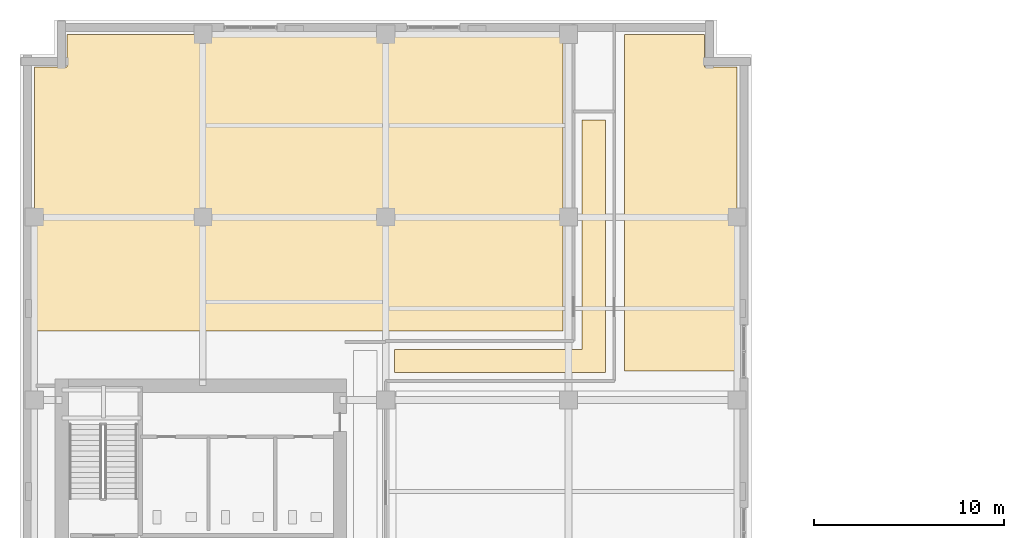
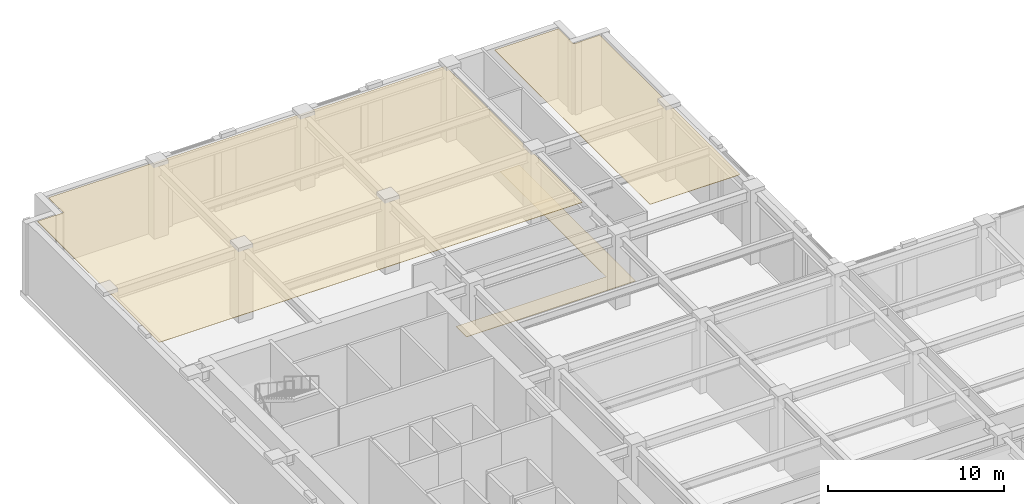
# One storey, part 17 of 18: 3 coverings.
"""IFC4 building model written with IfcOpenShell, lengths in metres."""

import ifcopenshell
import ifcopenshell.guid

model = None  # the IFC model being written
_history = None  # IfcOwnerHistory: only IFC2X3 demands one
_inside = {}  # id of a spatial element -> (the spatial element, [elements in it])
_under = {}  # id of a project, library or spatial element -> (it, [spatial elements below it])
_declared = {}  # id of a project -> (the project, [libraries it declares])
_typed = {}  # id of a type object -> (the type object, [elements of that type])
_made_of = {}  # id of a material, layer set ... -> (it, [elements and type objects made of it])


def new_model(schema):
    """Start an empty IFC model of exactly this schema.

    Asked for "IFC4X3", IfcOpenShell would pick the latest addendum, in which some entities
    have other attributes; the version numbers below select the first issue.
    IFC2X3 requires an IfcOwnerHistory on every rooted entity: one is made here for all.
    """
    global model, _history
    if schema == "IFC4X3":
        model = ifcopenshell.file(schema_version=(4, 3, 0, 0))
    else:
        model = ifcopenshell.file(schema=schema)
    _inside.clear()
    _under.clear()
    _declared.clear()
    _typed.clear()
    _made_of.clear()
    _history = None
    if model.schema == "IFC2X3":
        org = make("IfcOrganization", Name="unknown")
        user = make(
            "IfcPersonAndOrganization",
            ThePerson=make("IfcPerson", FamilyName="unknown"),
            TheOrganization=org,
        )
        app = make(
            "IfcApplication",
            ApplicationDeveloper=org,
            Version="unknown",
            ApplicationFullName="unknown",
            ApplicationIdentifier="unknown",
        )
        _history = make(
            "IfcOwnerHistory",
            OwningUser=user,
            OwningApplication=app,
            ChangeAction="ADDED",
            CreationDate=0,
        )
    return model


def make(cls, **values):
    """One entity of the class cls with the attributes given. An attribute that is None is left unset."""
    return model.create_entity(
        cls, **{name: value for name, value in values.items() if value is not None}
    )


def rooted(cls, **values):
    """An entity with a GlobalId (a new one), such as an element, a storey or a relation."""
    return make(cls, GlobalId=ifcopenshell.guid.new(), OwnerHistory=_history, **values)


def si_unit(unit_type, name, prefix=None):
    """IfcSIUnit, for example si_unit("LENGTHUNIT", "METRE", prefix="MILLI")."""
    return make("IfcSIUnit", UnitType=unit_type, Prefix=prefix, Name=name)


def assignment(units):
    """IfcUnitAssignment: the units of a project."""
    return None if units is None else make("IfcUnitAssignment", Units=units)


def point(xyz):
    """IfcCartesianPoint."""
    return None if xyz is None else make("IfcCartesianPoint", Coordinates=xyz)


def direction(xyz):
    """IfcDirection."""
    return None if xyz is None else make("IfcDirection", DirectionRatios=xyz)


def frame(location, z_axis=None, x_axis=None):
    """IfcAxis2Placement3D, a coordinate frame: its origin and axes. An axis left out is left unset."""
    return make(
        "IfcAxis2Placement3D",
        Location=point(location),
        Axis=direction(z_axis),
        RefDirection=direction(x_axis),
    )


def origin():
    """The frame at (0, 0, 0) with its axes left unset."""
    return frame((0.0, 0.0, 0.0))


def place(relative_to, where):
    """IfcLocalPlacement: puts the frame where relative to a parent placement (None: the world)."""
    return make(
        "IfcLocalPlacement", PlacementRelTo=relative_to, RelativePlacement=where
    )


def context(
    kind, dimensions, precision=None, world=None, true_north=None, identifier=None
):
    """IfcGeometricRepresentationContext, for example the 3D "Model" context."""
    return make(
        "IfcGeometricRepresentationContext",
        ContextIdentifier=identifier,
        ContextType=kind,
        CoordinateSpaceDimension=dimensions,
        Precision=precision,
        WorldCoordinateSystem=world,
        TrueNorth=true_north,
    )


def subcontext(parent, identifier, kind, view, scale=None):
    """IfcGeometricRepresentationSubContext, for example "Body" below "Model"."""
    return make(
        "IfcGeometricRepresentationSubContext",
        ContextIdentifier=identifier,
        ContextType=kind,
        ParentContext=parent,
        TargetScale=scale,
        TargetView=view,
    )


def project(units=None, contexts=None):
    """IfcProject with its units and contexts."""
    return rooted(
        "IfcProject",
        Name="project",
        RepresentationContexts=contexts,
        UnitsInContext=assignment(units),
    )


def spatial(cls, under=None, at=None, **own):
    """A site, building, storey or space (cls), placed at a placement, below another one or the project."""
    s = rooted(cls, ObjectPlacement=at, **own)
    if under is not None:
        _under.setdefault(under.id(), (under, []))[1].append(s)
    return s


def polyline(points):
    """IfcPolyline through the points."""
    return make("IfcPolyline", Points=[point(p) for p in points])


def outline(outer, holes=None, kind="AREA"):
    """IfcArbitraryClosedProfileDef: a profile drawn as a closed curve; with holes, ...WithVoids."""
    if holes is None:
        return make("IfcArbitraryClosedProfileDef", ProfileType=kind, OuterCurve=outer)
    return make(
        "IfcArbitraryProfileDefWithVoids",
        ProfileType=kind,
        OuterCurve=outer,
        InnerCurves=holes,
    )


def extrude(swept, where, along, depth):
    """IfcExtrudedAreaSolid: the profile swept, set in the frame where, extruded along a direction by depth."""
    return make(
        "IfcExtrudedAreaSolid",
        SweptArea=swept,
        Position=where,
        ExtrudedDirection=direction(along),
        Depth=depth,
    )


def shape(context_of_items, identifier, shape_type, items):
    """IfcShapeRepresentation: the items that make up one representation, for example the "Body"."""
    return make(
        "IfcShapeRepresentation",
        ContextOfItems=context_of_items,
        RepresentationIdentifier=identifier,
        RepresentationType=shape_type,
        Items=items,
    )


def material(Name=None, Category=None):
    """IfcMaterial."""
    return make("IfcMaterial", Name=Name, Category=Category)


def layer(
    of_material, thickness, ventilated=None, Name=None, Category=None, Priority=None
):
    """IfcMaterialLayer: one layer of a wall or slab, of a material (None: an air gap)."""
    return make(
        "IfcMaterialLayer",
        Material=of_material,
        LayerThickness=thickness,
        IsVentilated=ventilated,
        Name=Name,
        Category=Category,
        Priority=Priority,
    )


def layer_set(layers, Name=None):
    """IfcMaterialLayerSet."""
    return make("IfcMaterialLayerSet", MaterialLayers=layers, LayerSetName=Name)


def made_of(thing, what):
    """Note that an element or type object is made of a material, layer set ...; save() writes the relation."""
    if what is not None:
        _made_of.setdefault(what.id(), (what, []))[1].append(thing)
    return thing


def type_object(cls, material=None, **own):
    """A type object (cls), such as IfcWallType, which elements share."""
    return made_of(rooted(cls, **own), material)


def element(
    cls,
    number,
    at=None,
    inside=None,
    cuts=None,
    type_object=None,
    material=None,
    context=None,
    identifier="Body",
    shape_type=None,
    held_by="IfcProductDefinitionShape",
    body=None,
    shapes=None,
    **own,
):
    """One element of the class cls, such as IfcWall. Its Tag is "e" and its number.

    at: its placement. inside: the storey or other place that contains it. cuts: it is an
    opening in that element (IfcRelVoidsElement). A single representation is given by context,
    identifier, shape_type and body (its items); several are given by shapes. held_by: the class
    of the entity that holds the representations. save() writes the other relations.
    """
    e = rooted(cls, Tag="e%d" % number, ObjectPlacement=at, **own)
    if body is not None:
        shapes = [shape(context, identifier, shape_type, body)]
    if shapes is not None:
        e.Representation = make(held_by, Representations=shapes)
    if inside is not None:
        _inside.setdefault(inside.id(), (inside, []))[1].append(e)
    if cuts is not None:
        rooted(
            "IfcRelVoidsElement", RelatingBuildingElement=cuts, RelatedOpeningElement=e
        )
    if type_object is not None:
        _typed.setdefault(type_object.id(), (type_object, []))[1].append(e)
    return made_of(e, material)


def aggregate(whole, parts):
    """IfcRelAggregates: a whole, such as a stair, and the parts it consists of."""
    return rooted("IfcRelAggregates", RelatingObject=whole, RelatedObjects=parts)


def save(model, path):
    """Write the relations noted so far, then the file.

    IfcRelAggregates (storeys below a building ...), IfcRelContainedInSpatialStructure (elements
    in a storey), IfcRelDefinesByType, IfcRelAssociatesMaterial and IfcRelDeclares: one each for
    every whole, place, type object, material and project.
    """
    for whole, parts in _under.values():
        aggregate(whole, parts)
    for where, things in _inside.values():
        rooted(
            "IfcRelContainedInSpatialStructure",
            RelatedElements=things,
            RelatingStructure=where,
        )
    for kind, things in _typed.values():
        rooted("IfcRelDefinesByType", RelatedObjects=things, RelatingType=kind)
    for what, things in _made_of.values():
        rooted("IfcRelAssociatesMaterial", RelatedObjects=things, RelatingMaterial=what)
    for by, libraries in _declared.values():
        rooted("IfcRelDeclares", RelatingContext=by, RelatedDefinitions=libraries)
    model.write(path)


model = new_model("IFC4")

# Units and contexts
model_context = context("Model", 3, precision=1e-05, world=origin(), true_north=direction((0.0, 1.0)))
body_context = subcontext(model_context, "Body", "Model", "MODEL_VIEW")
ifc_project = project(units=[si_unit("LENGTHUNIT", "METRE"), si_unit("AREAUNIT", "SQUARE_METRE"), si_unit("VOLUMEUNIT", "CUBIC_METRE"), si_unit("PLANEANGLEUNIT", "RADIAN"), si_unit("MASSUNIT", "GRAM", prefix="KILO")], contexts=[model_context])

# Site, building, storey
site_placement = place(None, origin())
site = spatial("IfcSite", under=ifc_project, at=site_placement, CompositionType="ELEMENT")
building_placement = place(site_placement, origin())
building = spatial("IfcBuilding", under=site, at=building_placement, Name="Norrvale University Quadrangle", CompositionType="ELEMENT")
storey_placement = place(building_placement, frame((0.0, 0.0, 150.800048828125)))
storey = spatial("IfcBuildingStorey", under=building, at=storey_placement, Name="L38", CompositionType="ELEMENT", Elevation=150.800048828125)

# Coverings
ifc_material_1 = material(Name="Perforated Acoustic Mineral Ceiling")
ifc_layer_1 = layer(ifc_material_1, 0.02490234375, Name="Perforated Acoustic Mineral Ceiling")
ifc_layer_set_1 = layer_set([ifc_layer_1], Name="Perforated Acoustic Mineral Ceiling")
covering_type_1 = type_object("IfcCoveringType", Name="Covering Acoustic Ceiling 25", PredefinedType="CEILING", material=ifc_layer_set_1)
covering_1_placement = place(storey_placement, frame((0.0, 0.0, 4.9150390625)))
element("IfcCovering", 1, at=covering_1_placement, inside=storey, type_object=covering_type_1, Name="Acoustic Ceiling RM-L38-NE01", PredefinedType="CEILING", context=body_context, shape_type="SweptSolid", body=[
    extrude(outline(polyline([(37.64990234375, 48.780029296875), (31.72998046875, 48.780029296875), (31.72998046875, 66.449951171875), (35.929931640625, 66.449951171875), (35.929931640625, 64.72998046875), (37.64990234375, 64.72998046875), (37.64990234375, 48.780029296875)])), origin(), (0.0, 0.0, 1.0), 0.02490234375),
])
covering_2_placement = place(storey_placement, frame((0.0, 0.0, 4.9150390625)))
element("IfcCovering", 2, at=covering_2_placement, inside=storey, type_object=covering_type_1, Name="Acoustic Ceiling RM-L38-NW01", PredefinedType="CEILING", context=body_context, shape_type="SweptSolid", body=[
    extrude(outline(polyline([(28.52001953125, 66.449951171875), (28.52001953125, 50.8798828125), (0.75, 50.8798828125), (0.75, 64.72998046875), (2.469970703125, 64.72998046875), (2.469970703125, 66.449951171875), (28.52001953125, 66.449951171875)])), origin(), (0.0, 0.0, 1.0), 0.02490234375),
])
ifc_material_2 = material(Name="Polished Terrazzo Flooring")
ifc_layer_2 = layer(ifc_material_2, 0.02490234375, Name="Polished Terrazzo Flooring")
ifc_layer_set_2 = layer_set([ifc_layer_2], Name="Polished Terrazzo Flooring")
covering_type_2 = type_object("IfcCoveringType", Name="Covering Terrazzo Floor 30", PredefinedType="FLOORING", material=ifc_layer_set_2)
covering_3_placement = place(storey_placement, origin())
element("IfcCovering", 3, at=covering_3_placement, inside=storey, type_object=covering_type_2, Name="Terrazzo Flooring RM-L38-NCJOG", PredefinedType="FLOORING", context=body_context, shape_type="SweptSolid", body=[
    extrude(outline(polyline([(19.64990234375, 48.699951171875), (19.64990234375, 49.89990234375), (29.5, 49.89990234375), (29.5, 61.949951171875), (30.75, 61.949951171875), (30.75, 48.699951171875), (19.64990234375, 48.699951171875)])), origin(), (0.0, 0.0, 1.0), 0.02490234375),
])

save(model, "model.ifc")
